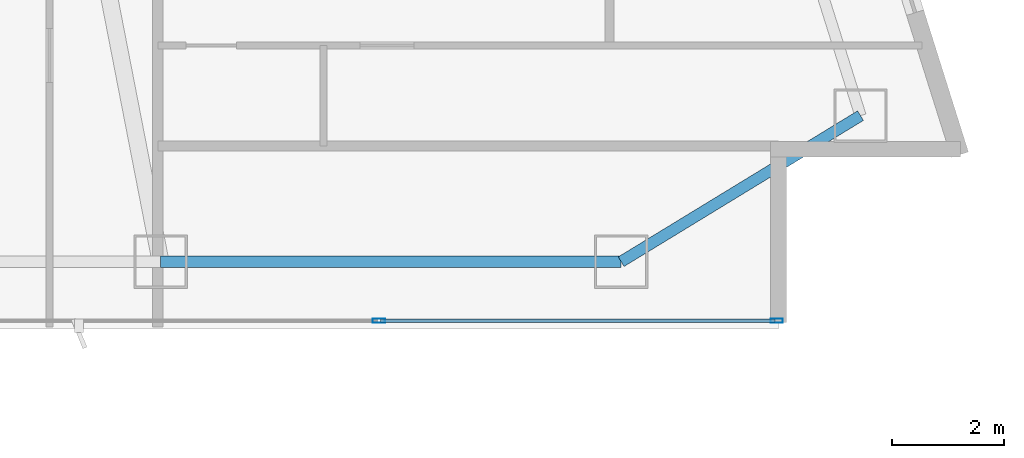
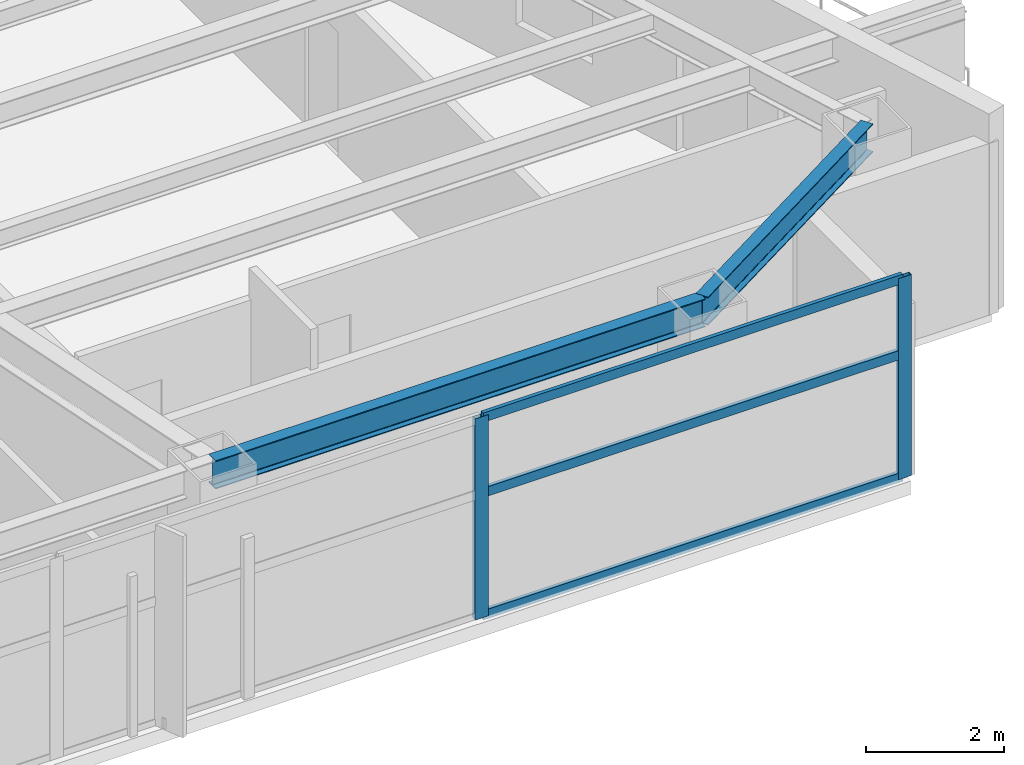
# One storey, part 14 of 30: 5 members, 2 beams, 1 element without a shape of its own.
"""IFC4 building model written with IfcOpenShell, lengths in metres."""

from ifc_helpers import new_model, si_unit, direction, frame, origin, origin_2d, place, context, subcontext, project, spatial, hollow_rectangle, i_section, extrude, material, layer, layer_set, material_profile, profile_set, type_object, element, aggregate, save


model = new_model("IFC4")

# Units and contexts
model_context = context("Model", 3, precision=1e-05, world=origin(), true_north=direction((0.0, 1.0)))
body_context = subcontext(model_context, "Body", "Model", "MODEL_VIEW")
ifc_project = project(units=[si_unit("LENGTHUNIT", "METRE"), si_unit("AREAUNIT", "SQUARE_METRE"), si_unit("VOLUMEUNIT", "CUBIC_METRE"), si_unit("PLANEANGLEUNIT", "RADIAN"), si_unit("MASSUNIT", "GRAM", prefix="KILO")], contexts=[model_context])

# Site, building, storey
site_placement = place(None, origin())
site = spatial("IfcSite", under=ifc_project, at=site_placement, CompositionType="ELEMENT")
building_placement = place(site_placement, origin())
building = spatial("IfcBuilding", under=site, at=building_placement, Name="Calvorn Quay Hotel", CompositionType="ELEMENT")
storey_placement = place(building_placement, frame((0.0, 0.0, 50.800048828125)))
storey = spatial("IfcBuildingStorey", under=building, at=storey_placement, Name="L11", CompositionType="ELEMENT", Elevation=50.800048828125)

# Beams
ifc_material_1 = material(Name="Steel Q355B", Category="steel")
ifc_material_profile_1 = material_profile(ifc_material_1, i_section(OverallWidth=0.199951171875, OverallDepth=0.5, WebThickness=0.010009765625, FlangeThickness=0.01611328125, FilletRadius=0.01611328125, at=origin_2d()), Name="HN500x200x10x16")
ifc_profile_set_1 = profile_set([ifc_material_profile_1], Name="Steel Q355B")
beam_type = type_object("IfcBeamType", Name="BM-SPANDREL-Z1", PredefinedType="SPANDREL", material=ifc_profile_set_1)
beam_1_placement = place(storey_placement, frame((49.39990234375, 3.60009765625, 3.2900390625), z_axis=(1.0, 0.0, 0.0), x_axis=(0.0, 1.0, 0.0)))
element("IfcBeam", 1, at=beam_1_placement, inside=storey, type_object=beam_type, Name="Beam BSP-L11-S6", PredefinedType="SPANDREL", context=body_context, shape_type="SweptSolid", body=[
    extrude(i_section(OverallWidth=0.199951171875, OverallDepth=0.5, WebThickness=0.010009765625, FlangeThickness=0.01611328125, FilletRadius=0.01611328125, at=origin_2d()), origin(), (0.0, 0.0, 1.0), 8.2001953125),
])
beam_2_placement = place(storey_placement, frame((57.60009765625, 3.60009765625, 3.2900390625), z_axis=(0.853645546466, 0.520854376, 0.0), x_axis=(-0.520854376, 0.853645546466, 0.0)))
element("IfcBeam", 2, at=beam_2_placement, inside=storey, type_object=beam_type, Name="Beam BSP-L11-S7", PredefinedType="SPANDREL", context=body_context, shape_type="SweptSolid", body=[
    extrude(i_section(OverallWidth=0.199951171875, OverallDepth=0.5, WebThickness=0.010009765625, FlangeThickness=0.01611328125, FilletRadius=0.01611328125, at=origin_2d()), origin(), (0.0, 0.0, 1.0), 4.991455078125),
])

# Curtain wall, members
ifc_material_2 = material(Name="Pale Anodised Aluminium and Low-E Glass", Category="aluminium")
ifc_layer = layer(ifc_material_2, 0.219970703125)
ifc_layer_set = layer_set([ifc_layer], Name="CW-SYS-Z1")
curtain_wall_type = type_object("IfcCurtainWallType", Name="CW-SYS-Z1", PredefinedType="NOTDEFINED", material=ifc_layer_set)
curtain_wall_placement = place(storey_placement, origin())
curtain_wall = element("IfcCurtainWall", 3, at=curtain_wall_placement, inside=storey, type_object=curtain_wall_type, Name="Tower South Waterfront Curtain Wall (L11)", PredefinedType="NOTDEFINED")
ifc_material_3 = material(Name="Pale Anodised Aluminium 6063-T6", Category="aluminium")
ifc_material_profile_2 = material_profile(ifc_material_3, hollow_rectangle(XDim=0.074951171875, YDim=0.219970703125, WallThickness=0.00439453125, at=origin_2d()), Name="ALU-M220x75x4.5")
ifc_profile_set_2 = profile_set([ifc_material_profile_2], Name="Pale Anodised Aluminium 6063-T6")
member_type_1 = type_object("IfcMemberType", Name="CW-SYS-Z1-MUL", PredefinedType="MULLION", material=ifc_profile_set_2)
member_1_placement = place(storey_placement, frame((53.28564453125, 2.550048828125, 0.0), z_axis=(0.0, 0.0, 1.0), x_axis=(0.0, 1.0, 0.0)))
member_1 = element("IfcMember", 4, at=member_1_placement, type_object=member_type_1, Name="CW-L11-S mullion 7", PredefinedType="MULLION", context=body_context, shape_type="SweptSolid", body=[
    extrude(hollow_rectangle(XDim=0.074951171875, YDim=0.219970703125, WallThickness=0.00439453125, at=origin_2d()), origin(), (0.0, 0.0, 1.0), 3.56005859375),
])
member_2_placement = place(storey_placement, frame((60.3701171875, 2.550048828125, 0.0), z_axis=(0.0, 0.0, 1.0), x_axis=(0.0, 1.0, 0.0)))
member_2 = element("IfcMember", 5, at=member_2_placement, type_object=member_type_1, Name="CW-L11-S mullion 8", PredefinedType="MULLION", context=body_context, shape_type="SweptSolid", body=[
    extrude(hollow_rectangle(XDim=0.074951171875, YDim=0.219970703125, WallThickness=0.00439453125, at=origin_2d()), origin(), (0.0, 0.0, 1.0), 3.56005859375),
])
ifc_material_4 = material(Name="Pale Anodised Aluminium 6063-T6", Category="aluminium")
ifc_material_profile_3 = material_profile(ifc_material_4, hollow_rectangle(XDim=0.06494140625, YDim=0.1650390625, WallThickness=0.00341796875, at=origin_2d()), Name="ALU-T165x65x3.5")
ifc_profile_set_3 = profile_set([ifc_material_profile_3], Name="Pale Anodised Aluminium 6063-T6")
member_type_2 = type_object("IfcMemberType", Name="CW-SYS-Z1-TRN", PredefinedType="USERDEFINED", material=ifc_profile_set_3)
member_3_placement = place(storey_placement, frame((53.315673828125, 2.550048828125, 0.030029296875), z_axis=(1.0, 0.0, 0.0), x_axis=(0.0, 1.0, 0.0)))
member_3 = element("IfcMember", 6, at=member_3_placement, type_object=member_type_2, Name="CW-L11-S transom 7.1", ObjectType="TRANSOM", PredefinedType="USERDEFINED", context=body_context, shape_type="SweptSolid", body=[
    extrude(hollow_rectangle(XDim=0.06494140625, YDim=0.1650390625, WallThickness=0.00341796875, at=origin_2d()), origin(), (0.0, 0.0, 1.0), 7.0244140625),
])
member_4_placement = place(storey_placement, frame((53.315673828125, 2.550048828125, 2.199951171875), z_axis=(1.0, 0.0, 0.0), x_axis=(0.0, 1.0, 0.0)))
member_4 = element("IfcMember", 7, at=member_4_placement, type_object=member_type_2, Name="CW-L11-S transom 7.2", ObjectType="TRANSOM", PredefinedType="USERDEFINED", context=body_context, shape_type="SweptSolid", body=[
    extrude(hollow_rectangle(XDim=0.06494140625, YDim=0.1650390625, WallThickness=0.00341796875, at=origin_2d()), origin(), (0.0, 0.0, 1.0), 7.0244140625),
])
member_5_placement = place(storey_placement, frame((53.315673828125, 2.550048828125, 3.530029296875), z_axis=(1.0, 0.0, 0.0), x_axis=(0.0, 1.0, 0.0)))
member_5 = element("IfcMember", 8, at=member_5_placement, type_object=member_type_2, Name="CW-L11-S transom 7.3", ObjectType="TRANSOM", PredefinedType="USERDEFINED", context=body_context, shape_type="SweptSolid", body=[
    extrude(hollow_rectangle(XDim=0.06494140625, YDim=0.1650390625, WallThickness=0.00341796875, at=origin_2d()), origin(), (0.0, 0.0, 1.0), 7.0244140625),
])
aggregate(curtain_wall, [member_1, member_2, member_3, member_4, member_5])

save(model, "model.ifc")
